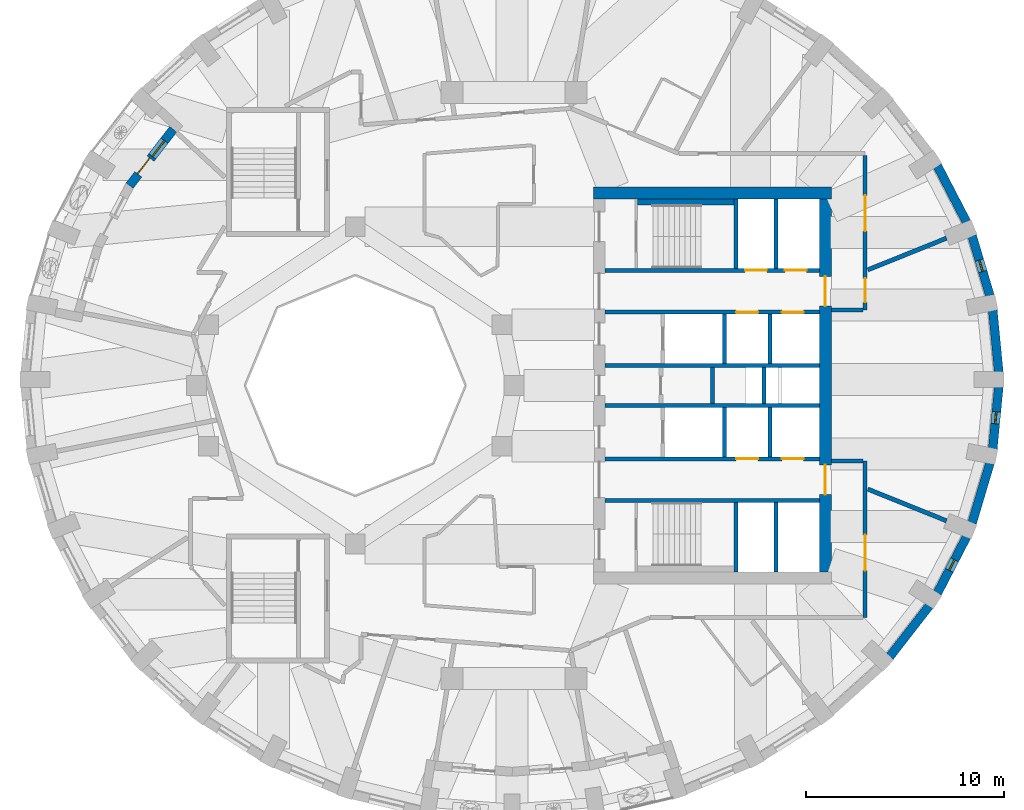
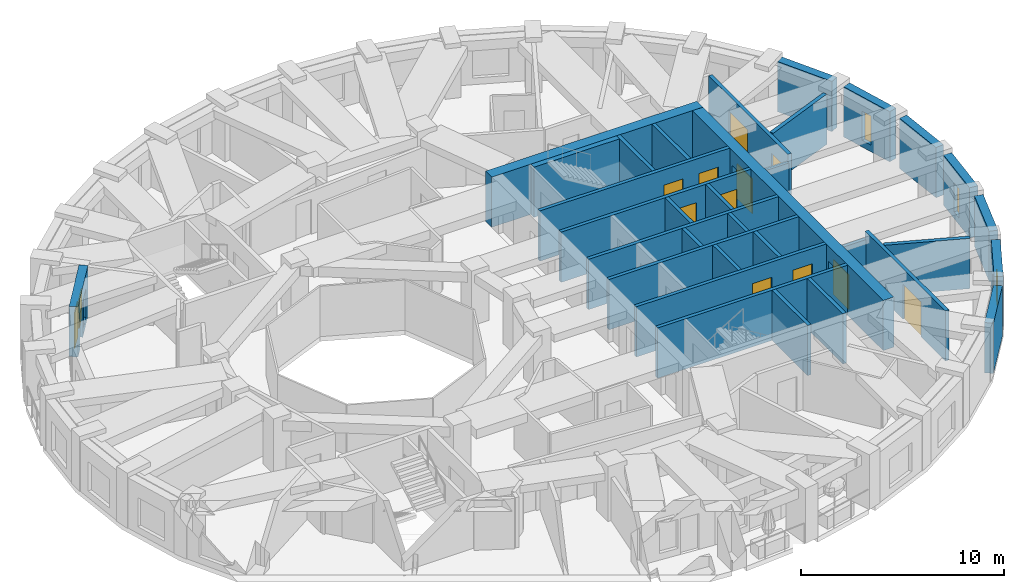
# One storey, part 6 of 12: 33 walls, 12 doors, 4 windows, 16 openings.
"""IFC4 building model written with IfcOpenShell, lengths in metres."""

from ifc_helpers import new_model, si_unit, direction, frame, frame_2d, origin, place, context, subcontext, project, spatial, rectangle, extrude, material, layer, layer_set, type_object, element, fill, save


model = new_model("IFC4")

# Units and contexts
model_context = context("Model", 3, precision=1e-05, world=origin(), true_north=direction((0.0, 1.0)))
body_context = subcontext(model_context, "Body", "Model", "MODEL_VIEW")
ifc_project = project(units=[si_unit("LENGTHUNIT", "METRE"), si_unit("AREAUNIT", "SQUARE_METRE"), si_unit("VOLUMEUNIT", "CUBIC_METRE"), si_unit("PLANEANGLEUNIT", "RADIAN"), si_unit("MASSUNIT", "GRAM", prefix="KILO")], contexts=[model_context])

# Site, building, storey
site_placement = place(None, origin())
site = spatial("IfcSite", under=ifc_project, at=site_placement, CompositionType="ELEMENT")
building_placement = place(site_placement, origin())
building = spatial("IfcBuilding", under=site, at=building_placement, Name="Taillehof Tower", CompositionType="ELEMENT")
storey_placement = place(building_placement, frame((0.0, 0.0, 243.199951171875)))
storey = spatial("IfcBuildingStorey", under=building, at=storey_placement, Name="L69", CompositionType="ELEMENT", Elevation=243.199951171875)

# Wall
ifc_material_1 = material(Name="Brick masonry", Category="masonry")
ifc_layer_1 = layer(ifc_material_1, 0.449951171875)
ifc_layer_set_1 = layer_set([ifc_layer_1], Name="Brick infill wall 450")
wall_type_1 = type_object("IfcWallType", Name="Brick infill wall 450", PredefinedType="SOLIDWALL", material=ifc_layer_set_1)
wall_1_placement = place(storey_placement, frame((24.43701171875, 0.68017578125, 0.0), z_axis=(0.0, 0.0, 1.0), x_axis=(-0.096740086873, 0.995309678237, 0.0)))
element("IfcWall", 1, at=wall_1_placement, inside=storey, type_object=wall_type_1, Name="Brick wall L69 bay 1", PredefinedType="SOLIDWALL", context=body_context, shape_type="SweptSolid", body=[
    extrude(rectangle(XDim=3.1142578125, YDim=0.449951171875, at=frame_2d((1.55712890625, 0.0))), origin(), (0.0, 0.0, 1.0), 3.02001953125),
])

# Wall, opening, window
wall_2_placement = place(storey_placement, frame((23.989990234375, 4.52587890625, 0.0), z_axis=(0.0, 0.0, 1.0), x_axis=(-0.285263800865, 0.958449040855, 0.0)))
wall_2 = element("IfcWall", 2, at=wall_2_placement, inside=storey, type_object=wall_type_1, Name="Brick wall L69 bay 2", PredefinedType="SOLIDWALL", context=body_context, shape_type="SweptSolid", body=[
    extrude(rectangle(XDim=3.13916015625, YDim=0.449951171875, at=frame_2d((1.569580078125, 0.0))), origin(), (0.0, 0.0, 1.0), 3.02001953125),
])
opening_1_placement = place(wall_2_placement, frame((1.26953125, 0.0, 0.39990234375)))
opening_1 = element("IfcOpeningElement", 3, at=opening_1_placement, cuts=wall_2, Name="Opening W6", PredefinedType="OPENING", context=body_context, shape_type="SweptSolid", body=[
    extrude(rectangle(XDim=0.60009765625, YDim=1.75, at=frame_2d((0.300048828125, 0.875))), frame((0.0, 0.23486328125, 0.0), z_axis=(0.0, -1.0, 0.0), x_axis=(1.0, 0.0, 0.0)), (0.0, 0.0, 1.0), 0.469970703125),
])
ifc_material_2 = material(Name="Aluminium window frame with clear double glazing", Category="aluminium")
window_type_1 = type_object("IfcWindowType", Name="Slot window 600x1750", PartitioningType="SINGLE_PANEL", PredefinedType="WINDOW", material=ifc_material_2)
window_1_placement = place(opening_1_placement, origin())
window_1 = element("IfcWindow", 4, at=window_1_placement, inside=storey, type_object=window_type_1, Name="W6", OverallHeight=1.75, OverallWidth=0.60009765625, PartitioningType="SINGLE_PANEL", PredefinedType="WINDOW", context=body_context, shape_type="SweptSolid", body=[
    extrude(rectangle(XDim=0.60009765625, YDim=1.75, at=frame_2d((0.300048828125, 0.875))), frame((0.0, 0.034912109375, 0.0), z_axis=(0.0, -1.0, 0.0), x_axis=(1.0, 0.0, 0.0)), (0.0, 0.0, 1.0), 0.06005859375),
])
fill(opening_1, window_1)

# Walls
wall_3_placement = place(storey_placement, frame((22.81005859375, 8.239501953125, 0.0), z_axis=(0.0, 0.0, 1.0), x_axis=(-0.459889857669, 0.887975967475, 0.0)))
element("IfcWall", 5, at=wall_3_placement, inside=storey, type_object=wall_type_1, Name="Brick wall L69 bay 3", PredefinedType="SOLIDWALL", context=body_context, shape_type="SweptSolid", body=[
    extrude(rectangle(XDim=3.185791015625, YDim=0.449951171875, at=frame_2d((1.5927734375, 0.0))), origin(), (0.0, 0.0, 1.0), 3.02001953125),
])
wall_4_placement = place(storey_placement, frame((18.941650390625, -13.671875, 0.0), z_axis=(0.0, 0.0, 1.0), x_axis=(0.613898970825, 0.789384604372, 0.0)))
element("IfcWall", 6, at=wall_4_placement, inside=storey, type_object=wall_type_1, Name="Brick wall L69 bay 33", PredefinedType="SOLIDWALL", context=body_context, shape_type="SweptSolid", body=[
    extrude(rectangle(XDim=3.2470703125, YDim=0.449951171875, at=frame_2d((1.62353515625, 0.0))), origin(), (0.0, 0.0, 1.0), 3.02001953125),
])

# Wall, opening, window
wall_5_placement = place(storey_placement, frame((21.344970703125, -10.46826171875, 0.0), z_axis=(0.0, 0.0, 1.0), x_axis=(0.459921155255, 0.887959757505, 0.0)))
wall_5 = element("IfcWall", 7, at=wall_5_placement, inside=storey, type_object=wall_type_1, Name="Brick wall L69 bay 34", PredefinedType="SOLIDWALL", context=body_context, shape_type="SweptSolid", body=[
    extrude(rectangle(XDim=3.185546875, YDim=0.449951171875, at=frame_2d((1.5927734375, 0.0))), origin(), (0.0, 0.0, 1.0), 3.02001953125),
])
opening_2_placement = place(wall_5_placement, frame((1.292724609375, 0.0, 0.39990234375)))
opening_2 = element("IfcOpeningElement", 8, at=opening_2_placement, cuts=wall_5, Name="Opening W6", PredefinedType="OPENING", context=body_context, shape_type="SweptSolid", body=[
    extrude(rectangle(XDim=0.60009765625, YDim=1.75, at=frame_2d((0.300048828125, 0.875))), frame((0.0, 0.23486328125, 0.0), z_axis=(0.0, -1.0, 0.0), x_axis=(1.0, 0.0, 0.0)), (0.0, 0.0, 1.0), 0.469970703125),
])
window_2_placement = place(opening_2_placement, origin())
window_2 = element("IfcWindow", 9, at=window_2_placement, inside=storey, type_object=window_type_1, Name="W6", OverallHeight=1.75, OverallWidth=0.60009765625, PartitioningType="SINGLE_PANEL", PredefinedType="WINDOW", context=body_context, shape_type="SweptSolid", body=[
    extrude(rectangle(XDim=0.60009765625, YDim=1.75, at=frame_2d((0.300048828125, 0.875))), frame((0.0, 0.034912109375, 0.0), z_axis=(0.0, -1.0, 0.0), x_axis=(1.0, 0.0, 0.0)), (0.0, 0.0, 1.0), 0.06005859375),
])
fill(opening_2, window_2)

# Wall
wall_6_placement = place(storey_placement, frame((23.094482421875, -6.9345703125, 0.0), z_axis=(0.0, 0.0, 1.0), x_axis=(0.285263800865, 0.958449040855, 0.0)))
element("IfcWall", 10, at=wall_6_placement, inside=storey, type_object=wall_type_1, Name="Brick wall L69 bay 35", PredefinedType="SOLIDWALL", context=body_context, shape_type="SweptSolid", body=[
    extrude(rectangle(XDim=3.13916015625, YDim=0.449951171875, at=frame_2d((1.569580078125, 0.0))), origin(), (0.0, 0.0, 1.0), 3.02001953125),
])

# Wall, opening, window
wall_7_placement = place(storey_placement, frame((24.1357421875, -3.179931640625, 0.0), z_axis=(0.0, 0.0, 1.0), x_axis=(0.09673253904, 0.995310411827, 0.0)))
wall_7 = element("IfcWall", 11, at=wall_7_placement, inside=storey, type_object=wall_type_1, Name="Brick wall L69 bay 36", PredefinedType="SOLIDWALL", context=body_context, shape_type="SweptSolid", body=[
    extrude(rectangle(XDim=3.114501953125, YDim=0.449951171875, at=frame_2d((1.55712890625, 0.0))), origin(), (0.0, 0.0, 1.0), 3.02001953125),
])
opening_3_placement = place(wall_7_placement, frame((1.257080078125, 0.0, 0.39990234375)))
opening_3 = element("IfcOpeningElement", 12, at=opening_3_placement, cuts=wall_7, Name="Opening W6", PredefinedType="OPENING", context=body_context, shape_type="SweptSolid", body=[
    extrude(rectangle(XDim=0.60009765625, YDim=1.75, at=frame_2d((0.300048828125, 0.875))), frame((0.0, 0.23486328125, 0.0), z_axis=(0.0, -1.0, 0.0), x_axis=(1.0, 0.0, 0.0)), (0.0, 0.0, 1.0), 0.469970703125),
])
window_3_placement = place(opening_3_placement, origin())
window_3 = element("IfcWindow", 13, at=window_3_placement, inside=storey, type_object=window_type_1, Name="W6", OverallHeight=1.75, OverallWidth=0.60009765625, PartitioningType="SINGLE_PANEL", PredefinedType="WINDOW", context=body_context, shape_type="SweptSolid", body=[
    extrude(rectangle(XDim=0.60009765625, YDim=1.75, at=frame_2d((0.300048828125, 0.875))), frame((0.0, 0.034912109375, 0.0), z_axis=(0.0, -1.0, 0.0), x_axis=(1.0, 0.0, 0.0)), (0.0, 0.0, 1.0), 0.06005859375),
])
fill(opening_3, window_3)

# Wall, openings, door, window
wall_8_placement = place(storey_placement, frame((-17.174072265625, 12.9111328125, 0.0), z_axis=(0.0, 0.0, 1.0), x_axis=(-0.612774197557, -0.79025804824, 0.0)))
wall_8 = element("IfcWall", 14, at=wall_8_placement, inside=storey, type_object=wall_type_1, Name="Brick wall L69 pocket bay 15", PredefinedType="SOLIDWALL", context=body_context, shape_type="SweptSolid", body=[
    extrude(rectangle(XDim=3.595703125, YDim=0.449951171875, at=frame_2d((1.7978515625, 0.0))), origin(), (0.0, 0.0, 1.0), 3.02001953125),
])
opening_4_placement = place(wall_8_placement, frame((0.722900390625, 0.0, 0.39990234375)))
opening_4 = element("IfcOpeningElement", 15, at=opening_4_placement, cuts=wall_8, Name="Opening W5", PredefinedType="OPENING", context=body_context, shape_type="SweptSolid", body=[
    extrude(rectangle(XDim=1.0, YDim=1.75, at=frame_2d((0.5, 0.875))), frame((0.0, 0.23486328125, 0.0), z_axis=(0.0, -1.0, 0.0), x_axis=(1.0, 0.0, 0.0)), (0.0, 0.0, 1.0), 0.469970703125),
])
opening_5_placement = place(wall_8_placement, frame((1.872802734375, 0.0, 0.0)))
opening_5 = element("IfcOpeningElement", 16, at=opening_5_placement, cuts=wall_8, Name="Opening D6994", PredefinedType="OPENING", context=body_context, shape_type="SweptSolid", body=[
    extrude(rectangle(XDim=1.0, YDim=2.14990234375, at=frame_2d((0.5, 1.074951171875))), frame((0.0, 0.23486328125, 0.0), z_axis=(0.0, -1.0, 0.0), x_axis=(1.0, 0.0, 0.0)), (0.0, 0.0, 1.0), 0.469970703125),
])
ifc_material_3 = material(Name="Aluminium door frame with clear double glazing", Category="aluminium")
door_type_1 = type_object("IfcDoorType", Name="Balcony door 1000x2150", OperationType="SINGLE_SWING_RIGHT", PredefinedType="DOOR", material=ifc_material_3)
door_1_placement = place(opening_5_placement, frame((1.0, 0.0, 0.0), z_axis=(0.0, 0.0, 1.0), x_axis=(-1.0, 0.0, 0.0)))
door_1 = element("IfcDoor", 17, at=door_1_placement, inside=storey, type_object=door_type_1, Name="Balcony door L69 bay 15", OperationType="SINGLE_SWING_RIGHT", OverallHeight=2.14990234375, OverallWidth=1.0, PredefinedType="DOOR", context=body_context, shape_type="SweptSolid", body=[
    extrude(rectangle(XDim=1.0, YDim=2.14990234375, at=frame_2d((0.5, 1.074951171875))), frame((0.0, 0.0751953125, 0.0), z_axis=(0.0, -1.0, 0.0), x_axis=(1.0, 0.0, 0.0)), (0.0, 0.0, 1.0), 0.050048828125),
])
fill(opening_5, door_1)
ifc_material_4 = material(Name="Aluminium window frame with clear double glazing", Category="aluminium")
window_type_2 = type_object("IfcWindowType", Name="Fixed window 1000x1750", PartitioningType="SINGLE_PANEL", PredefinedType="WINDOW", material=ifc_material_4)
window_4_placement = place(opening_4_placement, origin())
window_4 = element("IfcWindow", 18, at=window_4_placement, inside=storey, type_object=window_type_2, Name="W5", OverallHeight=1.75, OverallWidth=1.0, PartitioningType="SINGLE_PANEL", PredefinedType="WINDOW", context=body_context, shape_type="SweptSolid", body=[
    extrude(rectangle(XDim=1.0, YDim=1.75, at=frame_2d((0.5, 0.875))), frame((0.0, 0.034912109375, 0.0), z_axis=(0.0, -1.0, 0.0), x_axis=(1.0, 0.0, 0.0)), (0.0, 0.0, 1.0), 0.06005859375),
])
fill(opening_4, window_4)

# Walls
ifc_material_5 = material(Name="Calcium silicate masonry", Category="masonry")
ifc_layer_2 = layer(ifc_material_5, 0.199951171875)
ifc_layer_set_2 = layer_set([ifc_layer_2], Name="Compartment wall calcium silicate 200")
wall_type_2 = type_object("IfcWallType", Name="Compartment wall calcium silicate 200", PredefinedType="PARTITIONING", material=ifc_layer_set_2)
for number, where, z_axis, x_axis, name in (
    (19, (10.0, -0.89990234375, 0.0), (0.0, 0.0, 1.0), (0.0, 1.0, 0.0), "Compartment wall FW"),
    (20, (12.60009765625, -0.89990234375, 0.0), (0.0, 0.0, 1.0), (0.0, 1.0, 0.0), "Compartment wall FW"),
):
    element("IfcWall", number, at=place(storey_placement, frame(where, z_axis=z_axis, x_axis=x_axis)), inside=storey, type_object=wall_type_2, Name=name, PredefinedType="PARTITIONING", context=body_context, shape_type="SweptSolid", body=[
        extrude(rectangle(XDim=1.7998046875, YDim=0.199951171875, at=frame_2d((0.89990234375, 0.0))), origin(), (0.0, 0.0, 1.0), 3.02001953125),
    ])

# Wall, opening, door
ifc_material_6 = material(Name="Gypsum board on steel studs, two layers each side", Category="steel")
ifc_layer_3 = layer(ifc_material_6, 0.199951171875)
ifc_layer_set_3 = layer_set([ifc_layer_3], Name="Compartment wall corridor 200")
wall_type_3 = type_object("IfcWallType", Name="Compartment wall corridor 200", PredefinedType="PARTITIONING", material=ifc_layer_set_3)
wall_9_placement = place(storey_placement, frame((17.699951171875, -3.800048828125, 0.0), z_axis=(0.0, 0.0, 1.0), x_axis=(0.0, -1.0, 0.0)))
wall_9 = element("IfcWall", 21, at=wall_9_placement, inside=storey, type_object=wall_type_3, Name="Compartment wall", PredefinedType="PARTITIONING", context=body_context, shape_type="SweptSolid", body=[
    extrude(rectangle(XDim=7.89990234375, YDim=0.199951171875, at=frame_2d((3.949951171875, 0.0))), origin(), (0.0, 0.0, 1.0), 3.02001953125),
])
opening_6_placement = place(wall_9_placement, frame((3.72998046875, 0.0, 0.0)))
opening_6 = element("IfcOpeningElement", 22, at=opening_6_placement, cuts=wall_9, Name="Opening D6956", PredefinedType="OPENING", context=body_context, shape_type="SweptSolid", body=[
    extrude(rectangle(XDim=1.800048828125, YDim=2.10009765625, at=frame_2d((0.89990234375, 1.050048828125))), frame((0.0, 0.10986328125, 0.0), z_axis=(0.0, -1.0, 0.0), x_axis=(1.0, 0.0, 0.0)), (0.0, 0.0, 1.0), 0.219970703125),
])
ifc_material_7 = material(Name="Timber door leaf in steel frame", Category="steel")
door_type_2 = type_object("IfcDoorType", Name="Lounge and meeting room double door EI 30 1800 x 2100", OperationType="SINGLE_SWING_LEFT", PredefinedType="DOOR", material=ifc_material_7)
door_2_placement = place(opening_6_placement, origin())
door_2 = element("IfcDoor", 23, at=door_2_placement, inside=storey, type_object=door_type_2, Name="D6956", OperationType="DOUBLE_DOOR_SINGLE_SWING", OverallHeight=2.10009765625, OverallWidth=1.800048828125, PredefinedType="DOOR", context=body_context, shape_type="SweptSolid", body=[
    extrude(rectangle(XDim=1.800048828125, YDim=2.10009765625, at=frame_2d((0.89990234375, 1.050048828125))), frame((0.0, 0.02490234375, 0.0), z_axis=(0.0, -1.0, 0.0), x_axis=(1.0, 0.0, 0.0)), (0.0, 0.0, 1.0), 0.050048828125),
])
fill(opening_6, door_2)

# Wall, openings, doors
wall_10_placement = place(storey_placement, frame((17.699951171875, 11.599853515625, 0.0), z_axis=(0.0, 0.0, 1.0), x_axis=(0.0, -1.0, 0.0)))
wall_10 = element("IfcWall", 24, at=wall_10_placement, inside=storey, type_object=wall_type_3, Name="Compartment wall", PredefinedType="PARTITIONING", context=body_context, shape_type="SweptSolid", body=[
    extrude(rectangle(XDim=7.7998046875, YDim=0.199951171875, at=frame_2d((3.89990234375, 0.0))), origin(), (0.0, 0.0, 1.0), 3.02001953125),
])
opening_7_placement = place(wall_10_placement, frame((6.208984375, 0.0, 0.0)))
opening_7 = element("IfcOpeningElement", 25, at=opening_7_placement, cuts=wall_10, Name="Opening D6957", PredefinedType="OPENING", context=body_context, shape_type="SweptSolid", body=[
    extrude(rectangle(XDim=1.199951171875, YDim=2.10009765625, at=frame_2d((0.60009765625, 1.050048828125))), frame((0.0, 0.10986328125, 0.0), z_axis=(0.0, -1.0, 0.0), x_axis=(1.0, 0.0, 0.0)), (0.0, 0.0, 1.0), 0.219970703125),
])
opening_8_placement = place(wall_10_placement, frame((2.02001953125, 0.0, 0.0)))
opening_8 = element("IfcOpeningElement", 26, at=opening_8_placement, cuts=wall_10, Name="Opening D6958", PredefinedType="OPENING", context=body_context, shape_type="SweptSolid", body=[
    extrude(rectangle(XDim=1.800048828125, YDim=2.10009765625, at=frame_2d((0.89990234375, 1.050048828125))), frame((0.0, 0.10986328125, 0.0), z_axis=(0.0, -1.0, 0.0), x_axis=(1.0, 0.0, 0.0)), (0.0, 0.0, 1.0), 0.219970703125),
])
door_3_placement = place(opening_8_placement, origin())
door_3 = element("IfcDoor", 27, at=door_3_placement, inside=storey, type_object=door_type_2, Name="D6958", OperationType="DOUBLE_DOOR_SINGLE_SWING", OverallHeight=2.10009765625, OverallWidth=1.800048828125, PredefinedType="DOOR", context=body_context, shape_type="SweptSolid", body=[
    extrude(rectangle(XDim=1.800048828125, YDim=2.10009765625, at=frame_2d((0.89990234375, 1.050048828125))), frame((0.0, 0.02490234375, 0.0), z_axis=(0.0, -1.0, 0.0), x_axis=(1.0, 0.0, 0.0)), (0.0, 0.0, 1.0), 0.050048828125),
])
fill(opening_8, door_3)
ifc_material_8 = material(Name="Timber door leaf in steel frame", Category="steel")
door_type_3 = type_object("IfcDoorType", Name="Suite entrance door EI 30 1200 x 2100", OperationType="SINGLE_SWING_LEFT", PredefinedType="DOOR", material=ifc_material_8)
door_4_placement = place(opening_7_placement, origin())
door_4 = element("IfcDoor", 28, at=door_4_placement, inside=storey, type_object=door_type_3, Name="D6957", OperationType="SINGLE_SWING_LEFT", OverallHeight=2.10009765625, OverallWidth=1.199951171875, PredefinedType="DOOR", context=body_context, shape_type="SweptSolid", body=[
    extrude(rectangle(XDim=1.199951171875, YDim=2.10009765625, at=frame_2d((0.60009765625, 1.050048828125))), frame((0.0, 0.02490234375, 0.0), z_axis=(0.0, -1.0, 0.0), x_axis=(1.0, 0.0, 0.0)), (0.0, 0.0, 1.0), 0.050048828125),
])
fill(opening_7, door_4)

# Walls
for number, where, z_axis, x_axis, name in (
    (29, (17.599853515625, 3.800048828125, 0.0), (0.0, 0.0, 1.0), (-1.0, 0.0, 0.0), "Compartment wall"),
    (30, (16.00390625, -3.800048828125, 0.0), (0.0, 0.0, 1.0), (1.0, 0.0, 0.0), "Compartment wall"),
):
    element("IfcWall", number, at=place(storey_placement, frame(where, z_axis=z_axis, x_axis=x_axis)), inside=storey, type_object=wall_type_3, Name=name, PredefinedType="PARTITIONING", context=body_context, shape_type="SweptSolid", body=[
        extrude(rectangle(XDim=1.595947265625, YDim=0.199951171875, at=frame_2d((0.7978515625, 0.0))), origin(), (0.0, 0.0, 1.0), 2.570068359375),
    ])
ifc_material_9 = material(Name="Gypsum board on double steel studs with mineral wool", Category="steel")
ifc_layer_4 = layer(ifc_material_9, 0.219970703125)
ifc_layer_set_4 = layer_set([ifc_layer_4], Name="Compartment wall guest room 220")
wall_type_4 = type_object("IfcWallType", Name="Compartment wall guest room 220", PredefinedType="PARTITIONING", material=ifc_layer_set_4)
for number, where, z_axis, x_axis, name in (
    (31, (21.803955078125, 7.42431640625, 0.0), (0.0, 0.0, 1.0), (-0.927552565226, -0.373692706301, 0.0), "Compartment wall"),
    (32, (21.803955078125, -6.824462890625, 0.0), (0.0, 0.0, 1.0), (-0.92753277681, 0.373741819902, 0.0), "Compartment wall"),
):
    element("IfcWall", number, at=place(storey_placement, frame(where, z_axis=z_axis, x_axis=x_axis)), inside=storey, type_object=wall_type_4, Name=name, PredefinedType="PARTITIONING", context=body_context, shape_type="SweptSolid", body=[
        extrude(rectangle(XDim=4.276611328125, YDim=0.219970703125, at=frame_2d((2.13818359375, 0.0))), origin(), (0.0, 0.0, 1.0), 3.02001953125),
    ])
ifc_material_10 = material(Name="Calcium silicate masonry", Category="masonry")
ifc_layer_5 = layer(ifc_material_10, 0.300048828125)
ifc_layer_set_5 = layer_set([ifc_layer_5], Name="Compartment wall lining calcium silicate 300")
wall_type_5 = type_object("IfcWallType", Name="Compartment wall lining calcium silicate 300", PredefinedType="PARTITIONING", material=ifc_layer_set_5)
wall_11_placement = place(storey_placement, frame((6.219970703125, 9.25, 0.0), z_axis=(0.0, 0.0, 1.0), x_axis=(1.0, 0.0, 0.0)))
element("IfcWall", 33, at=wall_11_placement, inside=storey, type_object=wall_type_5, Name="Compartment wall FW", PredefinedType="PARTITIONING", context=body_context, shape_type="SweptSolid", body=[
    extrude(rectangle(XDim=4.880126953125, YDim=0.300048828125, at=frame_2d((2.43994140625, 0.0))), origin(), (0.0, 0.0, 1.0), 3.02001953125),
])

# Wall, openings, doors
ifc_material_11 = material(Name="Concrete C80/95", Category="concrete")
ifc_layer_6 = layer(ifc_material_11, 0.60009765625)
ifc_layer_set_6 = layer_set([ifc_layer_6], Name="Core wall C80/95 600")
wall_type_6 = type_object("IfcWallType", Name="Core wall C80/95 600", PredefinedType="SHEAR", material=ifc_layer_set_6)
wall_12_placement = place(storey_placement, frame((15.699951171875, -9.39990234375, 0.0), z_axis=(0.0, 0.0, 1.0), x_axis=(0.0, 1.0, 0.0)))
wall_12 = element("IfcWall", 34, at=wall_12_placement, inside=storey, type_object=wall_type_6, Name="Core wall CW05", PredefinedType="SHEAR", context=body_context, shape_type="SweptSolid", body=[
    extrude(rectangle(XDim=18.7998046875, YDim=0.60009765625, at=frame_2d((9.39990234375, 0.0))), origin(), (0.0, 0.0, 1.0), 3.02001953125),
])
opening_9_placement = place(wall_12_placement, frame((13.39990234375, 0.0, 0.0)))
opening_9 = element("IfcOpeningElement", 35, at=opening_9_placement, cuts=wall_12, Name="Opening D6908", PredefinedType="OPENING", context=body_context, shape_type="SweptSolid", body=[
    extrude(rectangle(XDim=1.5, YDim=2.10009765625, at=frame_2d((0.75, 1.050048828125))), frame((0.0, 0.31005859375, 0.0), z_axis=(0.0, -1.0, 0.0), x_axis=(1.0, 0.0, 0.0)), (0.0, 0.0, 1.0), 0.6201171875),
])
opening_10_placement = place(wall_12_placement, frame((3.89990234375, 0.0, 0.0)))
opening_10 = element("IfcOpeningElement", 36, at=opening_10_placement, cuts=wall_12, Name="Opening D6909", PredefinedType="OPENING", context=body_context, shape_type="SweptSolid", body=[
    extrude(rectangle(XDim=1.5, YDim=2.10009765625, at=frame_2d((0.75, 1.050048828125))), frame((0.0, 0.31005859375, 0.0), z_axis=(0.0, -1.0, 0.0), x_axis=(1.0, 0.0, 0.0)), (0.0, 0.0, 1.0), 0.6201171875),
])
ifc_material_12 = material(Name="Steel-faced fire door", Category="steel")
door_type_4 = type_object("IfcDoorType", Name="Lift lobby east door 1500x2100", OperationType="DOUBLE_DOOR_SINGLE_SWING", PredefinedType="DOOR", material=ifc_material_12)
door_5_placement = place(opening_9_placement, origin())
door_5 = element("IfcDoor", 37, at=door_5_placement, inside=storey, type_object=door_type_4, Name="Lift lobby east door north", OperationType="DOUBLE_DOOR_SINGLE_SWING", OverallHeight=2.10009765625, OverallWidth=1.5, PredefinedType="DOOR", context=body_context, shape_type="SweptSolid", body=[
    extrude(rectangle(XDim=1.5, YDim=2.10009765625, at=frame_2d((0.75, 1.050048828125))), frame((0.0, 0.02490234375, 0.0), z_axis=(0.0, -1.0, 0.0), x_axis=(1.0, 0.0, 0.0)), (0.0, 0.0, 1.0), 0.050048828125),
])
fill(opening_9, door_5)
door_6_placement = place(opening_10_placement, origin())
door_6 = element("IfcDoor", 38, at=door_6_placement, inside=storey, type_object=door_type_4, Name="Lift lobby east door south", OperationType="DOUBLE_DOOR_SINGLE_SWING", OverallHeight=2.10009765625, OverallWidth=1.5, PredefinedType="DOOR", context=body_context, shape_type="SweptSolid", body=[
    extrude(rectangle(XDim=1.5, YDim=2.10009765625, at=frame_2d((0.75, 1.050048828125))), frame((0.0, 0.02490234375, 0.0), z_axis=(0.0, -1.0, 0.0), x_axis=(1.0, 0.0, 0.0)), (0.0, 0.0, 1.0), 0.050048828125),
])
fill(opening_10, door_6)

# Wall
wall_13_placement = place(storey_placement, frame((4.0, 9.699951171875, 0.0), z_axis=(0.0, 0.0, 1.0), x_axis=(1.0, 0.0, 0.0)))
element("IfcWall", 39, at=wall_13_placement, inside=storey, type_object=wall_type_6, Name="Core wall CW06", PredefinedType="SHEAR", context=body_context, shape_type="SweptSolid", body=[
    extrude(rectangle(XDim=12.0, YDim=0.60009765625, at=frame_2d((6.0, 0.0))), origin(), (0.0, 0.0, 1.0), 3.02001953125),
])

# Wall, openings, doors
ifc_material_13 = material(Name="Concrete C50/60", Category="concrete")
ifc_layer_7 = layer(ifc_material_13, 0.199951171875)
ifc_layer_set_7 = layer_set([ifc_layer_7], Name="Shaft wall C50/60 200")
wall_type_7 = type_object("IfcWallType", Name="Shaft wall C50/60 200", PredefinedType="SHEAR", material=ifc_layer_set_7)
wall_14_placement = place(storey_placement, frame((4.60009765625, 5.800048828125, 0.0), z_axis=(0.0, 0.0, 1.0), x_axis=(1.0, 0.0, 0.0)))
wall_14 = element("IfcWall", 40, at=wall_14_placement, inside=storey, type_object=wall_type_7, Name="Shaft wall SW", PredefinedType="SHEAR", context=body_context, shape_type="SweptSolid", body=[
    extrude(rectangle(XDim=10.7998046875, YDim=0.199951171875, at=frame_2d((5.39990234375, 0.0))), origin(), (0.0, 0.0, 1.0), 3.02001953125),
])
opening_11_placement = place(wall_14_placement, frame((7.050048828125, 0.0, 0.0)))
opening_11 = element("IfcOpeningElement", 41, at=opening_11_placement, cuts=wall_14, Name="Opening LD1", PredefinedType="OPENING", context=body_context, shape_type="SweptSolid", body=[
    extrude(rectangle(XDim=1.10009765625, YDim=2.10009765625, at=frame_2d((0.550048828125, 1.050048828125))), frame((0.0, 0.10986328125, 0.0), z_axis=(0.0, -1.0, 0.0), x_axis=(1.0, 0.0, 0.0)), (0.0, 0.0, 1.0), 0.219970703125),
])
opening_12_placement = place(wall_14_placement, frame((9.050048828125, 0.0, 0.0)))
opening_12 = element("IfcOpeningElement", 42, at=opening_12_placement, cuts=wall_14, Name="Opening LD1", PredefinedType="OPENING", context=body_context, shape_type="SweptSolid", body=[
    extrude(rectangle(XDim=1.10009765625, YDim=2.10009765625, at=frame_2d((0.550048828125, 1.050048828125))), frame((0.0, 0.10986328125, 0.0), z_axis=(0.0, -1.0, 0.0), x_axis=(1.0, 0.0, 0.0)), (0.0, 0.0, 1.0), 0.219970703125),
])
ifc_material_14 = material(Name="Stainless steel", Category="steel")
door_type_5 = type_object("IfcDoorType", Name="Lift landing door LD1 1100x2100", OperationType="DOUBLE_DOOR_SLIDING", PredefinedType="DOOR", material=ifc_material_14)
door_7_placement = place(opening_11_placement, origin())
door_7 = element("IfcDoor", 43, at=door_7_placement, inside=storey, type_object=door_type_5, Name="Landing door HR1", OperationType="DOUBLE_DOOR_SLIDING", OverallHeight=2.10009765625, OverallWidth=1.10009765625, PredefinedType="DOOR", context=body_context, shape_type="SweptSolid", body=[
    extrude(rectangle(XDim=1.10009765625, YDim=2.10009765625, at=frame_2d((0.550048828125, 1.050048828125))), frame((0.0, 0.02490234375, 0.0), z_axis=(0.0, -1.0, 0.0), x_axis=(1.0, 0.0, 0.0)), (0.0, 0.0, 1.0), 0.050048828125),
])
fill(opening_11, door_7)
door_8_placement = place(opening_12_placement, origin())
door_8 = element("IfcDoor", 44, at=door_8_placement, inside=storey, type_object=door_type_5, Name="Landing door HR2", OperationType="DOUBLE_DOOR_SLIDING", OverallHeight=2.10009765625, OverallWidth=1.10009765625, PredefinedType="DOOR", context=body_context, shape_type="SweptSolid", body=[
    extrude(rectangle(XDim=1.10009765625, YDim=2.10009765625, at=frame_2d((0.550048828125, 1.050048828125))), frame((0.0, 0.02490234375, 0.0), z_axis=(0.0, -1.0, 0.0), x_axis=(1.0, 0.0, 0.0)), (0.0, 0.0, 1.0), 0.050048828125),
])
fill(opening_12, door_8)

wall_15_placement = place(storey_placement, frame((4.60009765625, 3.699951171875, 0.0), z_axis=(0.0, 0.0, 1.0), x_axis=(1.0, 0.0, 0.0)))
wall_15 = element("IfcWall", 45, at=wall_15_placement, inside=storey, type_object=wall_type_7, Name="Shaft wall SW", PredefinedType="SHEAR", context=body_context, shape_type="SweptSolid", body=[
    extrude(rectangle(XDim=10.7998046875, YDim=0.199951171875, at=frame_2d((5.39990234375, 0.0))), origin(), (0.0, 0.0, 1.0), 3.02001953125),
])
opening_13_placement = place(wall_15_placement, frame((6.60009765625, 0.0, 0.0)))
opening_13 = element("IfcOpeningElement", 46, at=opening_13_placement, cuts=wall_15, Name="Opening LD1", PredefinedType="OPENING", context=body_context, shape_type="SweptSolid", body=[
    extrude(rectangle(XDim=1.10009765625, YDim=2.10009765625, at=frame_2d((0.550048828125, 1.050048828125))), frame((0.0, 0.10986328125, 0.0), z_axis=(0.0, -1.0, 0.0), x_axis=(1.0, 0.0, 0.0)), (0.0, 0.0, 1.0), 0.219970703125),
])
opening_14_placement = place(wall_15_placement, frame((8.89990234375, 0.0, 0.0)))
opening_14 = element("IfcOpeningElement", 47, at=opening_14_placement, cuts=wall_15, Name="Opening LD1", PredefinedType="OPENING", context=body_context, shape_type="SweptSolid", body=[
    extrude(rectangle(XDim=1.10009765625, YDim=2.10009765625, at=frame_2d((0.550048828125, 1.050048828125))), frame((0.0, 0.10986328125, 0.0), z_axis=(0.0, -1.0, 0.0), x_axis=(1.0, 0.0, 0.0)), (0.0, 0.0, 1.0), 0.219970703125),
])
door_9_placement = place(opening_13_placement, origin())
door_9 = element("IfcDoor", 48, at=door_9_placement, inside=storey, type_object=door_type_5, Name="Landing door HR3", OperationType="DOUBLE_DOOR_SLIDING", OverallHeight=2.10009765625, OverallWidth=1.10009765625, PredefinedType="DOOR", context=body_context, shape_type="SweptSolid", body=[
    extrude(rectangle(XDim=1.10009765625, YDim=2.10009765625, at=frame_2d((0.550048828125, 1.050048828125))), frame((0.0, 0.02490234375, 0.0), z_axis=(0.0, -1.0, 0.0), x_axis=(1.0, 0.0, 0.0)), (0.0, 0.0, 1.0), 0.050048828125),
])
fill(opening_13, door_9)
door_10_placement = place(opening_14_placement, origin())
door_10 = element("IfcDoor", 49, at=door_10_placement, inside=storey, type_object=door_type_5, Name="Landing door HR4", OperationType="DOUBLE_DOOR_SLIDING", OverallHeight=2.10009765625, OverallWidth=1.10009765625, PredefinedType="DOOR", context=body_context, shape_type="SweptSolid", body=[
    extrude(rectangle(XDim=1.10009765625, YDim=2.10009765625, at=frame_2d((0.550048828125, 1.050048828125))), frame((0.0, 0.02490234375, 0.0), z_axis=(0.0, -1.0, 0.0), x_axis=(1.0, 0.0, 0.0)), (0.0, 0.0, 1.0), 0.050048828125),
])
fill(opening_14, door_10)

# Walls
for number, where, z_axis, x_axis, name in (
    (50, (4.60009765625, 1.0, 0.0), (0.0, 0.0, 1.0), (1.0, 0.0, 0.0), "Shaft wall SW"),
    (51, (4.60009765625, -1.0, 0.0), (0.0, 0.0, 1.0), (1.0, 0.0, 0.0), "Shaft wall SW"),
):
    element("IfcWall", number, at=place(storey_placement, frame(where, z_axis=z_axis, x_axis=x_axis)), inside=storey, type_object=wall_type_7, Name=name, PredefinedType="SHEAR", context=body_context, shape_type="SweptSolid", body=[
        extrude(rectangle(XDim=10.7998046875, YDim=0.199951171875, at=frame_2d((5.39990234375, 0.0))), origin(), (0.0, 0.0, 1.0), 3.02001953125),
    ])

# Wall, openings, doors
wall_16_placement = place(storey_placement, frame((4.60009765625, -3.699951171875, 0.0), z_axis=(0.0, 0.0, 1.0), x_axis=(1.0, 0.0, 0.0)))
wall_16 = element("IfcWall", 52, at=wall_16_placement, inside=storey, type_object=wall_type_7, Name="Shaft wall SW", PredefinedType="SHEAR", context=body_context, shape_type="SweptSolid", body=[
    extrude(rectangle(XDim=10.7998046875, YDim=0.199951171875, at=frame_2d((5.39990234375, 0.0))), origin(), (0.0, 0.0, 1.0), 3.02001953125),
])
opening_15_placement = place(wall_16_placement, frame((6.60009765625, 0.0, 0.0)))
opening_15 = element("IfcOpeningElement", 53, at=opening_15_placement, cuts=wall_16, Name="Opening LD1", PredefinedType="OPENING", context=body_context, shape_type="SweptSolid", body=[
    extrude(rectangle(XDim=1.10009765625, YDim=2.10009765625, at=frame_2d((0.550048828125, 1.050048828125))), frame((0.0, 0.10986328125, 0.0), z_axis=(0.0, -1.0, 0.0), x_axis=(1.0, 0.0, 0.0)), (0.0, 0.0, 1.0), 0.219970703125),
])
opening_16_placement = place(wall_16_placement, frame((8.89990234375, 0.0, 0.0)))
opening_16 = element("IfcOpeningElement", 54, at=opening_16_placement, cuts=wall_16, Name="Opening LD1", PredefinedType="OPENING", context=body_context, shape_type="SweptSolid", body=[
    extrude(rectangle(XDim=1.10009765625, YDim=2.10009765625, at=frame_2d((0.550048828125, 1.050048828125))), frame((0.0, 0.10986328125, 0.0), z_axis=(0.0, -1.0, 0.0), x_axis=(1.0, 0.0, 0.0)), (0.0, 0.0, 1.0), 0.219970703125),
])
door_11_placement = place(opening_15_placement, origin())
door_11 = element("IfcDoor", 55, at=door_11_placement, inside=storey, type_object=door_type_5, Name="Landing door HR5", OperationType="DOUBLE_DOOR_SLIDING", OverallHeight=2.10009765625, OverallWidth=1.10009765625, PredefinedType="DOOR", context=body_context, shape_type="SweptSolid", body=[
    extrude(rectangle(XDim=1.10009765625, YDim=2.10009765625, at=frame_2d((0.550048828125, 1.050048828125))), frame((0.0, 0.02490234375, 0.0), z_axis=(0.0, -1.0, 0.0), x_axis=(1.0, 0.0, 0.0)), (0.0, 0.0, 1.0), 0.050048828125),
])
fill(opening_15, door_11)
door_12_placement = place(opening_16_placement, origin())
door_12 = element("IfcDoor", 56, at=door_12_placement, inside=storey, type_object=door_type_5, Name="Landing door HR6", OperationType="DOUBLE_DOOR_SLIDING", OverallHeight=2.10009765625, OverallWidth=1.10009765625, PredefinedType="DOOR", context=body_context, shape_type="SweptSolid", body=[
    extrude(rectangle(XDim=1.10009765625, YDim=2.10009765625, at=frame_2d((0.550048828125, 1.050048828125))), frame((0.0, 0.02490234375, 0.0), z_axis=(0.0, -1.0, 0.0), x_axis=(1.0, 0.0, 0.0)), (0.0, 0.0, 1.0), 0.050048828125),
])
fill(opening_16, door_12)

# Walls
wall_17_placement = place(storey_placement, frame((4.60009765625, -5.800048828125, 0.0), z_axis=(0.0, 0.0, 1.0), x_axis=(1.0, 0.0, 0.0)))
element("IfcWall", 57, at=wall_17_placement, inside=storey, type_object=wall_type_7, Name="Shaft wall SW", PredefinedType="SHEAR", context=body_context, shape_type="SweptSolid", body=[
    extrude(rectangle(XDim=10.7998046875, YDim=0.199951171875, at=frame_2d((5.39990234375, 0.0))), origin(), (0.0, 0.0, 1.0), 3.02001953125),
])
for number, where, z_axis, x_axis, name in (
    (58, (11.199951171875, 5.89990234375, 0.0), (0.0, 0.0, 1.0), (0.0, 1.0, 0.0), "Shaft wall SW"),
    (59, (11.199951171875, -9.39990234375, 0.0), (0.0, 0.0, 1.0), (0.0, 1.0, 0.0), "Shaft wall SW"),
    (60, (13.199951171875, 5.89990234375, 0.0), (0.0, 0.0, 1.0), (0.0, 1.0, 0.0), "Shaft wall SW"),
    (61, (13.199951171875, -9.39990234375, 0.0), (0.0, 0.0, 1.0), (0.0, 1.0, 0.0), "Shaft wall SW"),
):
    element("IfcWall", number, at=place(storey_placement, frame(where, z_axis=z_axis, x_axis=x_axis)), inside=storey, type_object=wall_type_7, Name=name, PredefinedType="SHEAR", context=body_context, shape_type="SweptSolid", body=[
        extrude(rectangle(XDim=3.5, YDim=0.199951171875, at=frame_2d((1.75, 0.0))), origin(), (0.0, 0.0, 1.0), 3.02001953125),
    ])
for number, where, z_axis, x_axis, name in (
    (62, (10.60009765625, 1.10009765625, 0.0), (0.0, 0.0, 1.0), (0.0, 1.0, 0.0), "Shaft wall SW"),
    (63, (10.60009765625, -3.60009765625, 0.0), (0.0, 0.0, 1.0), (0.0, 1.0, 0.0), "Shaft wall SW"),
    (64, (12.89990234375, 1.10009765625, 0.0), (0.0, 0.0, 1.0), (0.0, 1.0, 0.0), "Shaft wall SW"),
    (65, (12.89990234375, -3.60009765625, 0.0), (0.0, 0.0, 1.0), (0.0, 1.0, 0.0), "Shaft wall SW"),
):
    element("IfcWall", number, at=place(storey_placement, frame(where, z_axis=z_axis, x_axis=x_axis)), inside=storey, type_object=wall_type_7, Name=name, PredefinedType="SHEAR", context=body_context, shape_type="SweptSolid", body=[
        extrude(rectangle(XDim=2.5, YDim=0.199951171875, at=frame_2d((1.25, 0.0))), origin(), (0.0, 0.0, 1.0), 3.02001953125),
    ])

save(model, "model.ifc")
